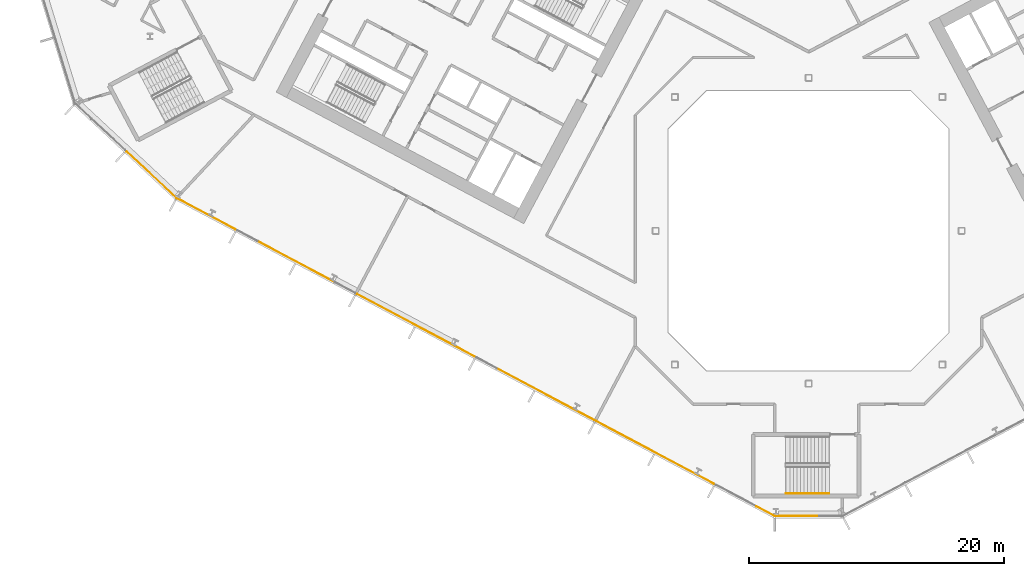
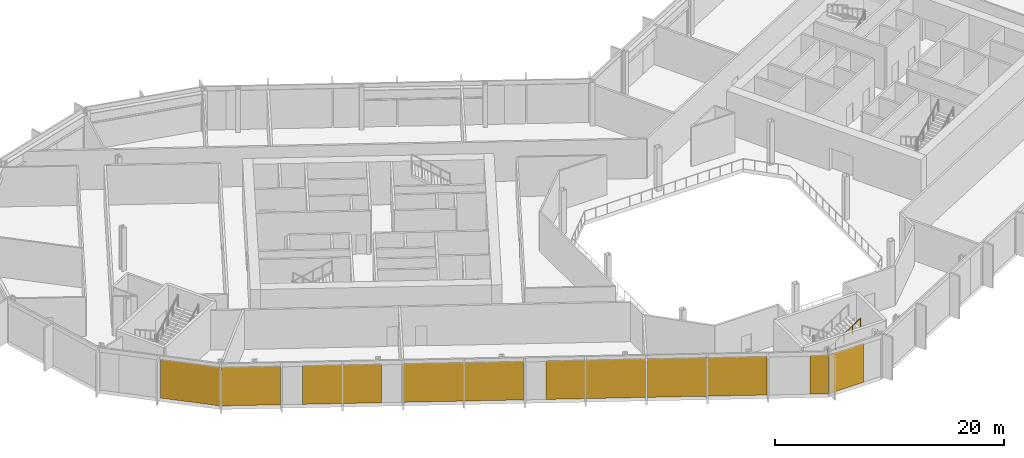
# One storey, part 21 of 32: 8 coverings, 1 railing, 3 elements without a shape of their own.
"""IFC4 building model written with IfcOpenShell, lengths in metres."""

from ifc_helpers import new_model, si_unit, direction, frame, origin, origin_2d, place, context, subcontext, project, spatial, polyline, rectangle, outline, extrude, material, layer, layer_set, type_object, element, aggregate, save


model = new_model("IFC4")

# Units and contexts
model_context = context("Model", 3, precision=1e-05, world=origin(), true_north=direction((0.0, 1.0)))
body_context = subcontext(model_context, "Body", "Model", "MODEL_VIEW")
ifc_project = project(units=[si_unit("LENGTHUNIT", "METRE"), si_unit("AREAUNIT", "SQUARE_METRE"), si_unit("VOLUMEUNIT", "CUBIC_METRE"), si_unit("PLANEANGLEUNIT", "RADIAN"), si_unit("MASSUNIT", "GRAM", prefix="KILO")], contexts=[model_context])

# Site, building, storey
site_placement = place(None, origin())
site = spatial("IfcSite", under=ifc_project, at=site_placement, CompositionType="ELEMENT")
building_placement = place(site_placement, origin())
building = spatial("IfcBuilding", under=site, at=building_placement, Name="Cormorant Relay Tower", CompositionType="ELEMENT")
storey_placement = place(building_placement, frame((0.0, 0.0, 70.800048828125)))
storey = spatial("IfcBuildingStorey", under=building, at=storey_placement, Name="L13", CompositionType="ELEMENT", Elevation=70.800048828125)

# Curtain wall, covering
ifc_material_1 = material(Name="Aluminium 6063-T6 anodised bronze", Category="aluminium")
ifc_layer_1 = layer(ifc_material_1, 0.199951171875)
ifc_layer_set_1 = layer_set([ifc_layer_1], Name="CW1 unitised bronze curtain wall with vertical fins")
curtain_wall_type = type_object("IfcCurtainWallType", Name="CW1 unitised bronze curtain wall with vertical fins", PredefinedType="NOTDEFINED", material=ifc_layer_set_1)
curtain_wall_1_placement = place(storey_placement, origin())
curtain_wall_1 = element("IfcCurtainWall", 1, at=curtain_wall_1_placement, inside=storey, type_object=curtain_wall_type, Name="CW1 curtain wall 1", PredefinedType="NOTDEFINED")
ifc_material_2 = material(Name="Pale bronze anodised aluminium insulated panel", Category="aluminium")
ifc_layer_2 = layer(ifc_material_2, 0.0400390625)
ifc_layer_set_2 = layer_set([ifc_layer_2], Name="CW1 pale bronze insulated panel 40")
covering_type = type_object("IfcCoveringType", Name="CW1 pale bronze insulated panel 40", PredefinedType="CLADDING", material=ifc_layer_set_2)
covering_1_placement = place(storey_placement, frame((-0.862548828125, -22.3955078125, 0.0), z_axis=(0.0, 0.0, 1.0), x_axis=(1.0, 0.0, 0.0)))
covering_1 = element("IfcCovering", 2, at=covering_1_placement, type_object=covering_type, Name="CW1 panel S00", PredefinedType="CLADDING", context=body_context, shape_type="SweptSolid", body=[
    extrude(rectangle(XDim=3.422607421875, YDim=0.0400390625, at=origin_2d()), origin(), (0.0, 0.0, 1.0), 4.14990234375),
])
aggregate(curtain_wall_1, [covering_1])

curtain_wall_2_placement = place(storey_placement, origin())
curtain_wall_2 = element("IfcCurtainWall", 3, at=curtain_wall_2_placement, inside=storey, type_object=curtain_wall_type, Name="CW1 curtain wall 13", PredefinedType="NOTDEFINED")
covering_2_placement = place(storey_placement, frame((-51.565185546875, 4.3974609375, 0.0), z_axis=(0.0, 0.0, 1.0), x_axis=(0.731353701619, -0.681998360062, 0.0)))
covering_2 = element("IfcCovering", 4, at=covering_2_placement, type_object=covering_type, Name="CW1 panel S02", PredefinedType="CLADDING", context=body_context, shape_type="SweptSolid", body=[
    extrude(rectangle(XDim=5.360107421875, YDim=0.0400390625, at=origin_2d()), origin(), (0.0, 0.0, 1.0), 4.14990234375),
])
aggregate(curtain_wall_2, [covering_2])

# Curtain wall, coverings
curtain_wall_3_placement = place(storey_placement, origin())
curtain_wall_3 = element("IfcCurtainWall", 5, at=curtain_wall_3_placement, inside=storey, type_object=curtain_wall_type, Name="CW1 curtain wall 14", PredefinedType="NOTDEFINED")
covering_3_placement = place(storey_placement, frame((-47.25390625, 1.318603515625, 0.0), z_axis=(0.0, 0.0, 1.0), x_axis=(0.882947592859, -0.469471562786, 0.0)))
covering_3 = element("IfcCovering", 6, at=covering_3_placement, type_object=covering_type, Name="CW1 panel S00", PredefinedType="CLADDING", context=body_context, shape_type="SweptSolid", body=[
    extrude(rectangle(XDim=5.16650390625, YDim=0.0400390625, at=origin_2d()), origin(), (0.0, 0.0, 1.0), 4.14990234375),
])
covering_4_placement = place(storey_placement, frame((-40.21240234375, -2.42529296875, 0.0), z_axis=(0.0, 0.0, 1.0), x_axis=(0.882947592859, -0.469471562786, 0.0)))
covering_4 = element("IfcCovering", 7, at=covering_4_placement, type_object=covering_type, Name="CW1 panel S02", PredefinedType="CLADDING", context=body_context, shape_type="SweptSolid", body=[
    extrude(rectangle(XDim=6.88330078125, YDim=0.0400390625, at=origin_2d()), origin(), (0.0, 0.0, 1.0), 4.14990234375),
])
covering_5_placement = place(storey_placement, frame((-30.823974609375, -7.417236328125, 0.0), z_axis=(0.0, 0.0, 1.0), x_axis=(0.882947592859, -0.469471562786, 0.0)))
covering_5 = element("IfcCovering", 8, at=covering_5_placement, type_object=covering_type, Name="CW1 panel S04", PredefinedType="CLADDING", context=body_context, shape_type="SweptSolid", body=[
    extrude(rectangle(XDim=10.483154296875, YDim=0.0400390625, at=origin_2d()), origin(), (0.0, 0.0, 1.0), 4.14990234375),
])
covering_6_placement = place(storey_placement, frame((-20.640625, -12.831787109375, 0.0), z_axis=(0.0, 0.0, 1.0), x_axis=(0.882947592859, -0.469471562786, 0.0)))
covering_6 = element("IfcCovering", 9, at=covering_6_placement, type_object=covering_type, Name="CW1 panel S06", PredefinedType="CLADDING", context=body_context, shape_type="SweptSolid", body=[
    extrude(rectangle(XDim=8.68310546875, YDim=0.0400390625, at=origin_2d()), origin(), (0.0, 0.0, 1.0), 4.14990234375),
])
covering_7_placement = place(storey_placement, frame((-12.046875, -17.401123046875, 0.0), z_axis=(0.0, 0.0, 1.0), x_axis=(0.882947592859, -0.469471562786, 0.0)))
covering_7 = element("IfcCovering", 10, at=covering_7_placement, type_object=covering_type, Name="CW1 panel S07", PredefinedType="CLADDING", context=body_context, shape_type="SweptSolid", body=[
    extrude(rectangle(XDim=10.483154296875, YDim=0.0400390625, at=origin_2d()), origin(), (0.0, 0.0, 1.0), 4.14990234375),
])
covering_8_placement = place(storey_placement, frame((-3.383056640625, -22.0078125, 0.0), z_axis=(0.0, 0.0, 1.0), x_axis=(0.882947592859, -0.469471562786, 0.0)))
covering_8 = element("IfcCovering", 11, at=covering_8_placement, type_object=covering_type, Name="CW1 panel S09", PredefinedType="CLADDING", context=body_context, shape_type="SweptSolid", body=[
    extrude(rectangle(XDim=1.6416015625, YDim=0.0400390625, at=origin_2d()), origin(), (0.0, 0.0, 1.0), 4.14990234375),
])
aggregate(curtain_wall_3, [covering_3, covering_4, covering_5, covering_6, covering_7, covering_8])

# Railing
ifc_material_3 = material(Name="Steel ASTM A572 Grade 50 (Fy 345 MPa)", Category="steel")
railing_type = type_object("IfcRailingType", Name="Stair handrail 900", PredefinedType="HANDRAIL", material=ifc_material_3)
railing_placement = place(storey_placement, frame((-1.760009765625, -20.625, 2.476806640625)))
element("IfcRailing", 12, at=railing_placement, inside=storey, type_object=railing_type, Name="L13 RK1 stair handrail 2", PredefinedType="HANDRAIL", context=body_context, shape_type="SweptSolid", body=[
    extrude(outline(polyline([(0.022216796875, 0.00927734375), (0.00927734375, 0.022216796875), (-0.00927734375, 0.022216796875), (-0.022216796875, 0.00927734375), (-0.022216796875, -0.00927734375), (-0.00927734375, -0.022216796875), (0.00927734375, -0.022216796875), (0.022216796875, -0.00927734375), (0.022216796875, 0.00927734375)])), frame((0.0, 0.0, 0.8759765625), z_axis=(0.845389635667, 0.0, 0.534150132366), x_axis=(0.0, 1.0, 0.0)), (0.0, 0.0, 1.0), 3.974609375),
    extrude(outline(polyline([(0.019287109375, 0.008056640625), (0.008056640625, 0.019287109375), (-0.008056640625, 0.019287109375), (-0.019287109375, 0.008056640625), (-0.019287109375, -0.008056640625), (-0.008056640625, -0.019287109375), (0.008056640625, -0.019287109375), (0.019287109375, -0.008056640625), (0.019287109375, 0.008056640625)])), origin(), (0.0, 0.0, 1.0), 0.851806640625),
    extrude(outline(polyline([(0.019287109375, 0.008056640625), (0.008056640625, 0.019287109375), (-0.008056640625, 0.019287109375), (-0.019287109375, 0.008056640625), (-0.019287109375, -0.008056640625), (-0.008056640625, -0.019287109375), (0.008056640625, -0.019287109375), (0.019287109375, -0.008056640625), (0.019287109375, 0.008056640625)])), frame((0.840087890625, 0.0, 0.53076171875)), (0.0, 0.0, 1.0), 0.851806640625),
    extrude(outline(polyline([(0.019287109375, 0.008056640625), (0.008056640625, 0.019287109375), (-0.008056640625, 0.019287109375), (-0.019287109375, 0.008056640625), (-0.019287109375, -0.008056640625), (-0.008056640625, -0.019287109375), (0.008056640625, -0.019287109375), (0.019287109375, -0.008056640625), (0.019287109375, 0.008056640625)])), frame((1.68017578125, 0.0, 1.0615234375)), (0.0, 0.0, 1.0), 0.851806640625),
    extrude(outline(polyline([(0.019287109375, 0.008056640625), (0.008056640625, 0.019287109375), (-0.008056640625, 0.019287109375), (-0.019287109375, 0.008056640625), (-0.019287109375, -0.008056640625), (-0.008056640625, -0.019287109375), (0.008056640625, -0.019287109375), (0.019287109375, -0.008056640625), (0.019287109375, 0.008056640625)])), frame((2.52001953125, 0.0, 1.59228515625)), (0.0, 0.0, 1.0), 0.851806640625),
    extrude(outline(polyline([(0.019287109375, 0.008056640625), (0.008056640625, 0.019287109375), (-0.008056640625, 0.019287109375), (-0.019287109375, 0.008056640625), (-0.019287109375, -0.008056640625), (-0.008056640625, -0.019287109375), (0.008056640625, -0.019287109375), (0.019287109375, -0.008056640625), (0.019287109375, 0.008056640625)])), frame((3.360107421875, 0.0, 2.123046875)), (0.0, 0.0, 1.0), 0.851806640625),
])

save(model, "model.ifc")
